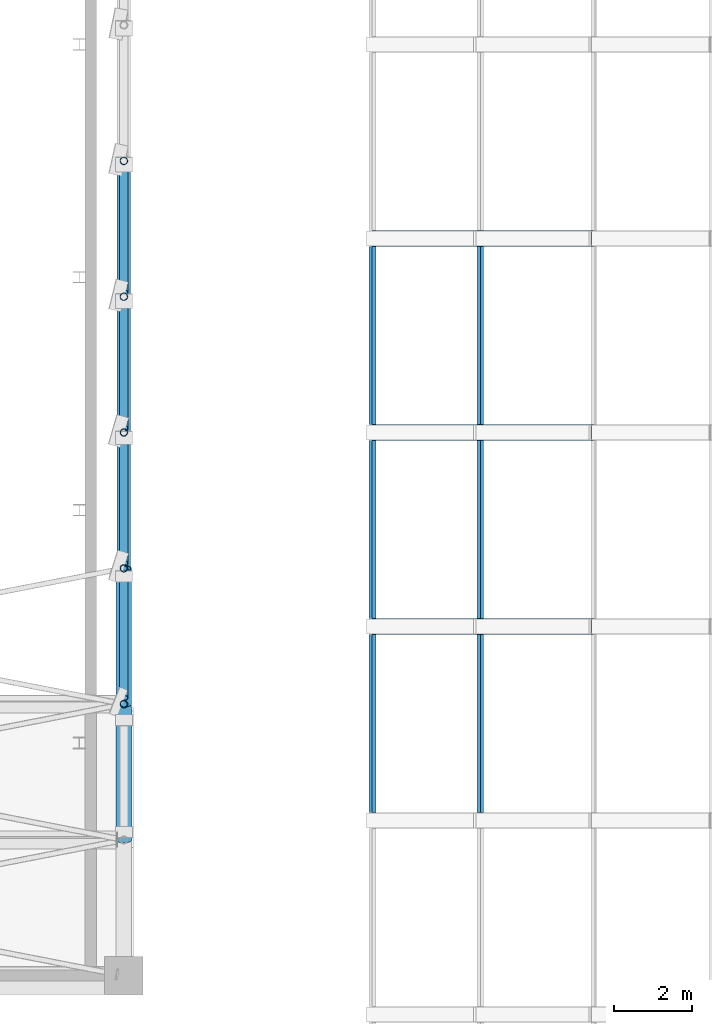
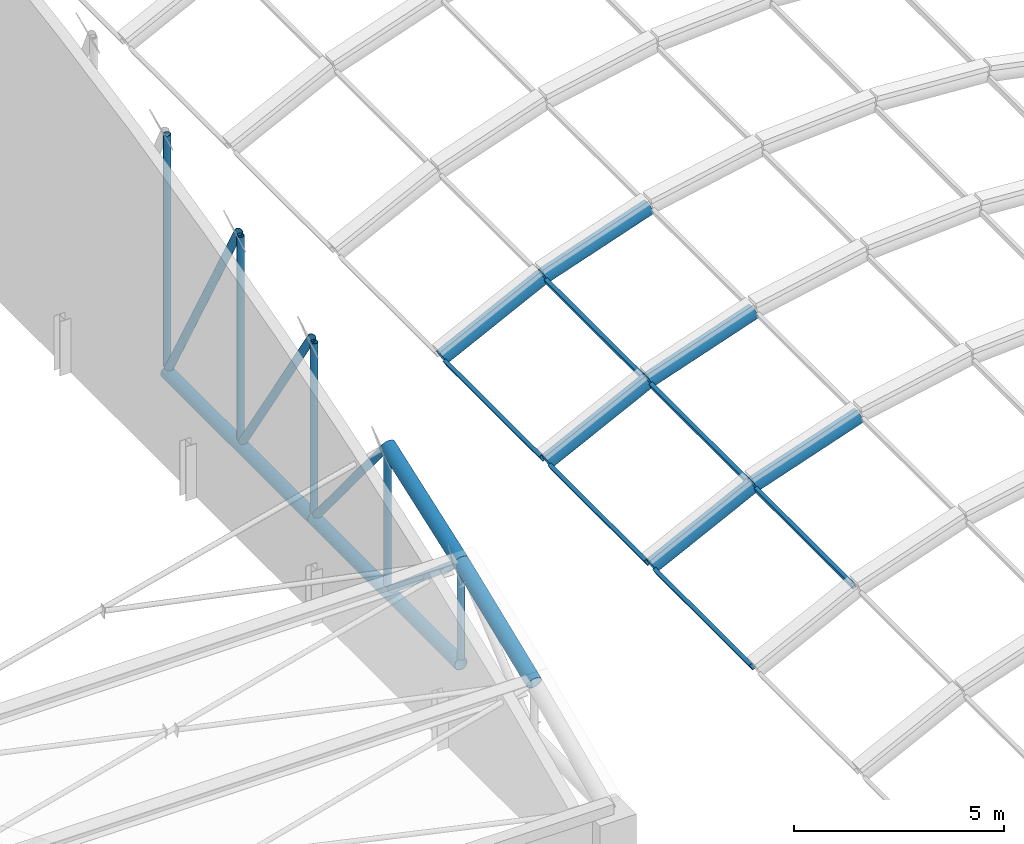
# One storey, part 48 of 196: 25 members.
"""IFC4 building model written with IfcOpenShell, lengths in metres."""

from ifc_helpers import new_model, si_unit, direction, frame, origin, origin_2d, place, context, subcontext, project, spatial, hollow_rectangle, hollow_circle, extrude, material, material_profile, profile_set, type_object, element, save


model = new_model("IFC4")

# Units and contexts
model_context = context("Model", 3, precision=1e-05, world=origin(), true_north=direction((0.0, 1.0)))
body_context = subcontext(model_context, "Body", "Model", "MODEL_VIEW")
ifc_project = project(units=[si_unit("LENGTHUNIT", "METRE"), si_unit("AREAUNIT", "SQUARE_METRE"), si_unit("VOLUMEUNIT", "CUBIC_METRE"), si_unit("PLANEANGLEUNIT", "RADIAN"), si_unit("MASSUNIT", "GRAM", prefix="KILO")], contexts=[model_context])

# Site, building, storey
site_placement = place(None, origin())
site = spatial("IfcSite", under=ifc_project, at=site_placement, CompositionType="ELEMENT")
building_placement = place(site_placement, origin())
building = spatial("IfcBuilding", under=site, at=building_placement, Name="Okhra Congress Centre", CompositionType="ELEMENT")
storey_placement = place(building_placement, frame((0.0, 0.0, 12.0)))
storey = spatial("IfcBuildingStorey", under=building, at=storey_placement, Name="L02", CompositionType="ELEMENT", Elevation=12.0)

# Members
ifc_material_1 = material(Name="Steel S355J2H", Category="steel")
ifc_material_profile_1 = material_profile(ifc_material_1, hollow_circle(Radius=0.096923828125, WallThickness=0.012451171875, at=origin_2d()), Name="CHS 193.7x12.5")
ifc_profile_set_1 = profile_set([ifc_material_profile_1], Name="Steel S355J2H")
member_type_1 = type_object("IfcMemberType", Name="CHS 193.7x12.5", PredefinedType="POST", material=ifc_profile_set_1)
member_1_placement = place(storey_placement, frame((154.0, 139.0, 1.577880859375), z_axis=(0.0, 0.0, 1.0), x_axis=(1.0, 0.0, 0.0)))
element("IfcMember", 1, at=member_1_placement, inside=storey, type_object=member_type_1, Name="EH.MEM.L02.T8-VER-02", PredefinedType="POST", context=body_context, shape_type="SweptSolid", body=[
    extrude(hollow_circle(Radius=0.096923828125, WallThickness=0.012451171875, at=origin_2d()), origin(), (0.0, 0.0, 1.0), 2.578857421875),
])
member_2_placement = place(storey_placement, frame((154.0, 142.5, 1.577880859375), z_axis=(0.0, 0.0, 1.0), x_axis=(1.0, 0.0, 0.0)))
element("IfcMember", 2, at=member_2_placement, inside=storey, type_object=member_type_1, Name="EH.MEM.L02.T8-VER-03", PredefinedType="POST", context=body_context, shape_type="SweptSolid", body=[
    extrude(hollow_circle(Radius=0.096923828125, WallThickness=0.012451171875, at=origin_2d()), origin(), (0.0, 0.0, 1.0), 3.836669921875),
])
member_3_placement = place(storey_placement, frame((154.0, 146.0, 1.577880859375), z_axis=(0.0, 0.0, 1.0), x_axis=(1.0, 0.0, 0.0)))
element("IfcMember", 3, at=member_3_placement, inside=storey, type_object=member_type_1, Name="EH.MEM.L02.T8-VER-04", PredefinedType="POST", context=body_context, shape_type="SweptSolid", body=[
    extrude(hollow_circle(Radius=0.096923828125, WallThickness=0.012451171875, at=origin_2d()), origin(), (0.0, 0.0, 1.0), 4.947998046875),
])
ifc_material_profile_2 = material_profile(ifc_material_1, hollow_circle(Radius=0.096923828125, WallThickness=0.008056640625, at=origin_2d()), Name="CHS 193.7x8.0")
ifc_profile_set_2 = profile_set([ifc_material_profile_2], Name="Steel S355J2H")
member_type_2 = type_object("IfcMemberType", Name="CHS 193.7x8.0", PredefinedType="POST", material=ifc_profile_set_2)
member_4_placement = place(storey_placement, frame((154.0, 149.5, 1.577880859375), z_axis=(0.0, 0.0, 1.0), x_axis=(1.0, 0.0, 0.0)))
element("IfcMember", 4, at=member_4_placement, inside=storey, type_object=member_type_2, Name="EH.MEM.L02.T8-VER-05", PredefinedType="POST", context=body_context, shape_type="SweptSolid", body=[
    extrude(hollow_circle(Radius=0.096923828125, WallThickness=0.008056640625, at=origin_2d()), origin(), (0.0, 0.0, 1.0), 5.917724609375),
])
member_5_placement = place(storey_placement, frame((154.0, 153.0, 1.577880859375), z_axis=(0.0, 0.0, 1.0), x_axis=(1.0, 0.0, 0.0)))
element("IfcMember", 5, at=member_5_placement, inside=storey, type_object=member_type_2, Name="EH.MEM.L02.T8-VER-06", PredefinedType="POST", context=body_context, shape_type="SweptSolid", body=[
    extrude(hollow_circle(Radius=0.096923828125, WallThickness=0.008056640625, at=origin_2d()), origin(), (0.0, 0.0, 1.0), 6.750244140625),
])
ifc_material_profile_3 = material_profile(ifc_material_1, hollow_circle(Radius=0.109619140625, WallThickness=0.010009765625, at=origin_2d()), Name="CHS 219.1x10.0")
ifc_profile_set_3 = profile_set([ifc_material_profile_3], Name="Steel S355J2H")
member_type_3 = type_object("IfcMemberType", Name="CHS 219.1x10.0", PredefinedType="BRACE", material=ifc_profile_set_3)
member_6_placement = place(storey_placement, frame((154.0, 149.5927734375, 7.538330078125), z_axis=(0.0, 0.485332749729, -0.874329527147), x_axis=(-1.0, 0.0, 0.0)))
element("IfcMember", 6, at=member_6_placement, inside=storey, type_object=member_type_3, Name="EH.MEM.L02.T8-DIA-05", PredefinedType="BRACE", context=body_context, shape_type="SweptSolid", body=[
    extrude(hollow_circle(Radius=0.109619140625, WallThickness=0.010009765625, at=origin_2d()), origin(), (0.0, 0.0, 1.0), 6.817138671875),
])
ifc_material_profile_4 = material_profile(ifc_material_1, hollow_circle(Radius=0.109619140625, WallThickness=0.012451171875, at=origin_2d()), Name="CHS 219.1x12.5")
ifc_profile_set_4 = profile_set([ifc_material_profile_4], Name="Steel S355J2H")
member_type_4 = type_object("IfcMemberType", Name="CHS 219.1x12.5", PredefinedType="BRACE", material=ifc_profile_set_4)
member_7_placement = place(storey_placement, frame((154.0, 139.1611328125, 4.237060546875), z_axis=(0.0, 0.762061047132, -0.64750518179), x_axis=(-1.0, 0.0, 0.0)))
element("IfcMember", 7, at=member_7_placement, inside=storey, type_object=member_type_4, Name="EH.MEM.L02.T8-DIA-02", PredefinedType="BRACE", context=body_context, shape_type="SweptSolid", body=[
    extrude(hollow_circle(Radius=0.109619140625, WallThickness=0.012451171875, at=origin_2d()), origin(), (0.0, 0.0, 1.0), 4.106689453125),
])
member_8_placement = place(storey_placement, frame((154.0, 142.626220703125, 5.476318359375), z_axis=(0.0, 0.637599309049, -0.770368172435), x_axis=(-1.0, 0.0, 0.0)))
element("IfcMember", 8, at=member_8_placement, inside=storey, type_object=member_type_4, Name="EH.MEM.L02.T8-DIA-03", PredefinedType="BRACE", context=body_context, shape_type="SweptSolid", body=[
    extrude(hollow_circle(Radius=0.109619140625, WallThickness=0.012451171875, at=origin_2d()), origin(), (0.0, 0.0, 1.0), 5.060546875),
])
member_9_placement = place(storey_placement, frame((154.0, 146.10595703125, 6.576416015625), z_axis=(0.0, 0.548312008951, -0.836273843211), x_axis=(-1.0, 0.0, 0.0)))
element("IfcMember", 9, at=member_9_placement, inside=storey, type_object=member_type_4, Name="EH.MEM.L02.T8-DIA-04", PredefinedType="BRACE", context=body_context, shape_type="SweptSolid", body=[
    extrude(hollow_circle(Radius=0.109619140625, WallThickness=0.012451171875, at=origin_2d()), origin(), (0.0, 0.0, 1.0), 5.97705078125),
])
ifc_material_profile_5 = material_profile(ifc_material_1, hollow_circle(Radius=0.177734375, WallThickness=0.01611328125, at=origin_2d()), Name="CHS 355.6x16.0")
ifc_profile_set_5 = profile_set([ifc_material_profile_5], Name="Steel S355J2H")
member_type_5 = type_object("IfcMemberType", Name="CHS 355.6x16.0", PredefinedType="CHORD", material=ifc_profile_set_5)
for number, where, z_axis, x_axis, name in (
    (10, (154.0, 139.0, 1.39990234375), (0.0, 1.0, 0.0), (-1.0, 0.0, 0.0), "EH.MEM.L02.T8-BOT-02"),
    (11, (154.0, 146.0, 1.39990234375), (0.0, 1.0, 0.0), (-1.0, 0.0, 0.0), "EH.MEM.L02.T8-BOT-03"),
):
    element("IfcMember", number, at=place(storey_placement, frame(where, z_axis=z_axis, x_axis=x_axis)), inside=storey, type_object=member_type_5, Name=name, PredefinedType="CHORD", context=body_context, shape_type="SweptSolid", body=[
        extrude(hollow_circle(Radius=0.177734375, WallThickness=0.01611328125, at=origin_2d()), origin(), (0.0, 0.0, 1.0), 7.0),
    ])
ifc_material_profile_6 = material_profile(ifc_material_1, hollow_circle(Radius=0.203125, WallThickness=0.02490234375, at=origin_2d()), Name="CHS 406.4x25.0")
ifc_profile_set_6 = profile_set([ifc_material_profile_6], Name="Steel S355J2H")
member_type_6 = type_object("IfcMemberType", Name="CHS 406.4x25.0", PredefinedType="CHORD", material=ifc_profile_set_6)
member_10_placement = place(storey_placement, frame((154.0, 135.5, 2.966796875), z_axis=(0.0, 0.927814639871, 0.373041544658), x_axis=(-1.0, 0.0, 0.0)))
element("IfcMember", 12, at=member_10_placement, inside=storey, type_object=member_type_6, Name="EH.MEM.L02.T8-TOP-02", PredefinedType="CHORD", context=body_context, shape_type="SweptSolid", body=[
    extrude(hollow_circle(Radius=0.203125, WallThickness=0.02490234375, at=origin_2d()), origin(), (0.0, 0.0, 1.0), 3.772216796875),
])
member_11_placement = place(storey_placement, frame((154.0, 139.0, 4.3740234375), z_axis=(0.0, 0.941304373418, 0.337558997192), x_axis=(-1.0, 0.0, 0.0)))
element("IfcMember", 13, at=member_11_placement, inside=storey, type_object=member_type_6, Name="EH.MEM.L02.T8-TOP-03", PredefinedType="CHORD", context=body_context, shape_type="SweptSolid", body=[
    extrude(hollow_circle(Radius=0.203125, WallThickness=0.02490234375, at=origin_2d()), origin(), (0.0, 0.0, 1.0), 3.71826171875),
])
ifc_material_2 = material(Name="Steel S355J2", Category="steel")
ifc_material_profile_7 = material_profile(ifc_material_2, hollow_rectangle(XDim=0.10009765625, YDim=0.199951171875, WallThickness=0.008056640625, at=origin_2d()), Name="RHS 200x100x8")
ifc_profile_set_7 = profile_set([ifc_material_profile_7], Name="Steel S355J2")
member_type_7 = type_object("IfcMemberType", Name="Steel purlin RHS 200x100x8", PredefinedType="PURLIN", material=ifc_profile_set_7)
for number, where, z_axis, x_axis, name in (
    (14, (160.406982421875, 136.203125, 0.77490234375), (0.0, 1.0, 0.0), (-0.86391685861, 0.0, -0.503634452167), "Vault purlin 13.2"),
    (15, (163.1826171875, 136.203125, 2.156494140625), (0.0, 1.0, 0.0), (-0.922668973833, 0.0, -0.38559300399), "Vault purlin 13.3"),
    (16, (160.406982421875, 141.203125, 0.77490234375), (0.0, 1.0, 0.0), (-0.86391685861, 0.0, -0.503634452167), "Vault purlin 14.2"),
    (17, (163.1826171875, 141.203125, 2.156494140625), (0.0, 1.0, 0.0), (-0.922668973833, 0.0, -0.38559300399), "Vault purlin 14.3"),
    (18, (160.406982421875, 146.203125, 0.77490234375), (0.0, 1.0, 0.0), (-0.86391685861, 0.0, -0.503634452167), "Vault purlin 15.2"),
    (19, (163.1826171875, 146.203125, 2.156494140625), (0.0, 1.0, 0.0), (-0.922668973833, 0.0, -0.38559300399), "Vault purlin 15.3"),
):
    element("IfcMember", number, at=place(storey_placement, frame(where, z_axis=z_axis, x_axis=x_axis)), inside=storey, type_object=member_type_7, Name=name, PredefinedType="PURLIN", context=body_context, shape_type="SweptSolid", body=[
        extrude(hollow_rectangle(XDim=0.10009765625, YDim=0.199951171875, WallThickness=0.008056640625, at=origin_2d()), origin(), (0.0, 0.0, 1.0), 4.59375),
    ])
ifc_material_profile_8 = material_profile(ifc_material_2, hollow_circle(Radius=0.203125, WallThickness=0.01611328125, at=origin_2d()), Name="CHS 406.4x16")
ifc_profile_set_8 = profile_set([ifc_material_profile_8], Name="Steel S355J2")
member_type_8 = type_object("IfcMemberType", Name="Tubular steel arch rib CHS 406x16", PredefinedType="USERDEFINED", material=ifc_profile_set_8)
for number, where, z_axis, x_axis, name in (
    (20, (160.406494140625, 141.0, 0.802490234375), (0.895219276519, 0.0, 0.44562590471), (0.0, 1.0, 0.0), "Arch rib 14.3"),
    (21, (163.185791015625, 141.0, 2.18408203125), (0.946089135599, 0.0, 0.323906386942), (0.0, 1.0, 0.0), "Arch rib 14.4"),
    (22, (160.406494140625, 146.0, 0.802490234375), (0.895219276519, 0.0, 0.44562590471), (0.0, 1.0, 0.0), "Arch rib 15.3"),
    (23, (163.185791015625, 146.0, 2.18408203125), (0.946089135599, 0.0, 0.323906386942), (0.0, 1.0, 0.0), "Arch rib 15.4"),
    (24, (160.406494140625, 151.0, 0.802490234375), (0.895219276519, 0.0, 0.44562590471), (0.0, 1.0, 0.0), "Arch rib 16.3"),
    (25, (163.185791015625, 151.0, 2.18408203125), (0.946089135599, 0.0, 0.323906386942), (0.0, 1.0, 0.0), "Arch rib 16.4"),
):
    element("IfcMember", number, at=place(storey_placement, frame(where, z_axis=z_axis, x_axis=x_axis)), inside=storey, type_object=member_type_8, Name=name, ObjectType="Arch rib", PredefinedType="USERDEFINED", context=body_context, shape_type="SweptSolid", body=[
        extrude(hollow_circle(Radius=0.203125, WallThickness=0.01611328125, at=origin_2d()), origin(), (0.0, 0.0, 1.0), 3.07666015625),
    ])

save(model, "model.ifc")
